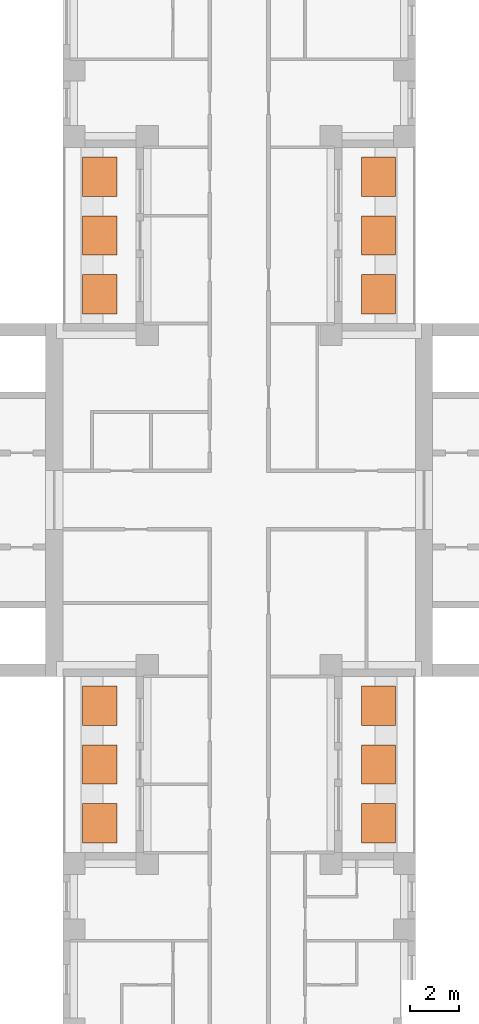
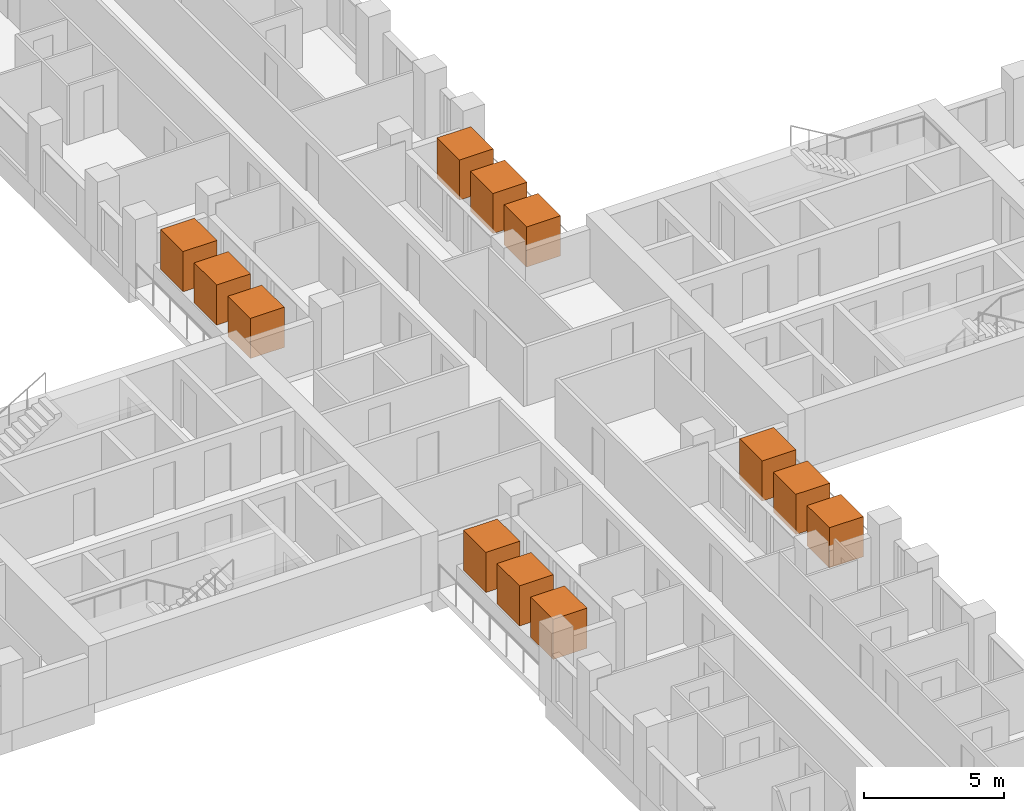
# One storey, part 16 of 16: 12 geographic elements.
"""IFC4 building model written with IfcOpenShell, lengths in metres."""

from ifc_helpers import new_model, si_unit, direction, frame, origin, origin_2d, place, context, subcontext, project, spatial, rectangle, extrude, material, element, save


model = new_model("IFC4")

# Units and contexts
model_context = context("Model", 3, precision=1e-05, world=origin(), true_north=direction((0.0, 1.0)))
body_context = subcontext(model_context, "Body", "Model", "MODEL_VIEW")
ifc_project = project(units=[si_unit("LENGTHUNIT", "METRE"), si_unit("AREAUNIT", "SQUARE_METRE"), si_unit("VOLUMEUNIT", "CUBIC_METRE"), si_unit("PLANEANGLEUNIT", "RADIAN"), si_unit("MASSUNIT", "GRAM", prefix="KILO")], contexts=[model_context])

# Site, building, storey
site_placement = place(None, origin())
site = spatial("IfcSite", under=ifc_project, at=site_placement, CompositionType="ELEMENT")
building_placement = place(site_placement, origin())
building = spatial("IfcBuilding", under=site, at=building_placement, Name="Fustian Cross Tower", CompositionType="ELEMENT")
storey_placement = place(building_placement, frame((0.0, 0.0, 23.699951171875)))
storey = spatial("IfcBuildingStorey", under=building, at=storey_placement, Name="L06", CompositionType="ELEMENT", Elevation=23.699951171875)

# Geographic elements
ifc_material = material(Name="Evergreen foliage")
for number, where, z_axis, x_axis, name in (
    (1, (5.68994140625, 8.39990234375, 0.800048828125), (0.0, 0.0, 1.0), (1.0, 0.0, 0.0), "TREE field maple"),
    (2, (5.68994140625, 10.800048828125, 0.800048828125), (0.0, 0.0, 1.0), (1.0, 0.0, 0.0), "TREE field maple"),
    (3, (5.68994140625, 13.199951171875, 0.800048828125), (0.0, 0.0, 1.0), (1.0, 0.0, 0.0), "TREE field maple"),
    (4, (-5.68994140625, 8.39990234375, 0.800048828125), (0.0, 0.0, 1.0), (1.0, 0.0, 0.0), "TREE field maple"),
    (5, (-5.68994140625, 10.800048828125, 0.800048828125), (0.0, 0.0, 1.0), (1.0, 0.0, 0.0), "TREE field maple"),
    (6, (-5.68994140625, 13.199951171875, 0.800048828125), (0.0, 0.0, 1.0), (1.0, 0.0, 0.0), "TREE field maple"),
    (7, (5.68994140625, -13.199951171875, 0.800048828125), (0.0, 0.0, 1.0), (1.0, 0.0, 0.0), "TREE field maple"),
    (8, (5.68994140625, -10.800048828125, 0.800048828125), (0.0, 0.0, 1.0), (1.0, 0.0, 0.0), "TREE field maple"),
    (9, (5.68994140625, -8.39990234375, 0.800048828125), (0.0, 0.0, 1.0), (1.0, 0.0, 0.0), "TREE field maple"),
    (10, (-5.68994140625, -13.199951171875, 0.800048828125), (0.0, 0.0, 1.0), (1.0, 0.0, 0.0), "TREE field maple"),
    (11, (-5.68994140625, -10.800048828125, 0.800048828125), (0.0, 0.0, 1.0), (1.0, 0.0, 0.0), "TREE field maple"),
    (12, (-5.68994140625, -8.39990234375, 0.800048828125), (0.0, 0.0, 1.0), (1.0, 0.0, 0.0), "TREE field maple"),
):
    element("IfcGeographicElement", number, at=place(storey_placement, frame(where, z_axis=z_axis, x_axis=x_axis)), inside=storey, material=ifc_material, Name=name, ObjectType="VEGETATION", PredefinedType="USERDEFINED", context=body_context, shape_type="SweptSolid", body=[
        extrude(rectangle(XDim=1.39990234375, YDim=1.60009765625, at=origin_2d()), origin(), (0.0, 0.0, 1.0), 1.75),
    ])

save(model, "model.ifc")
